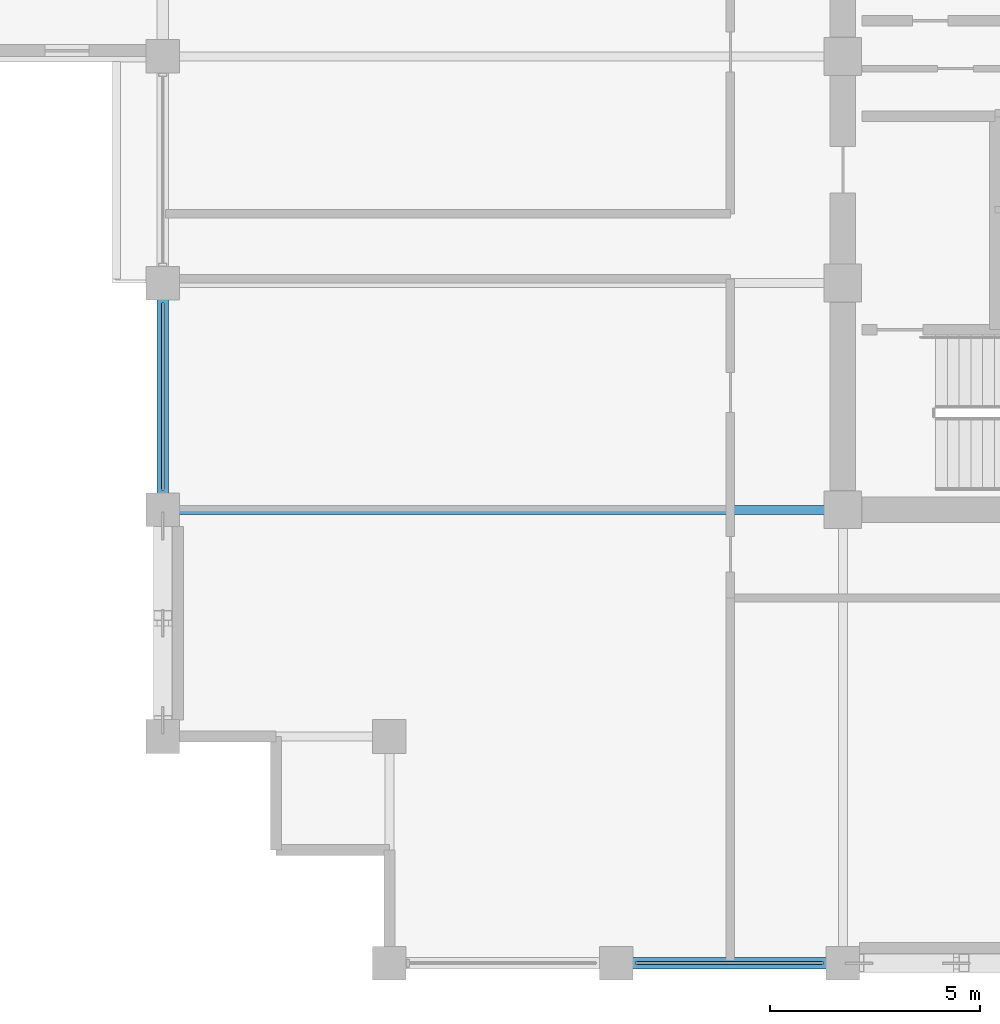
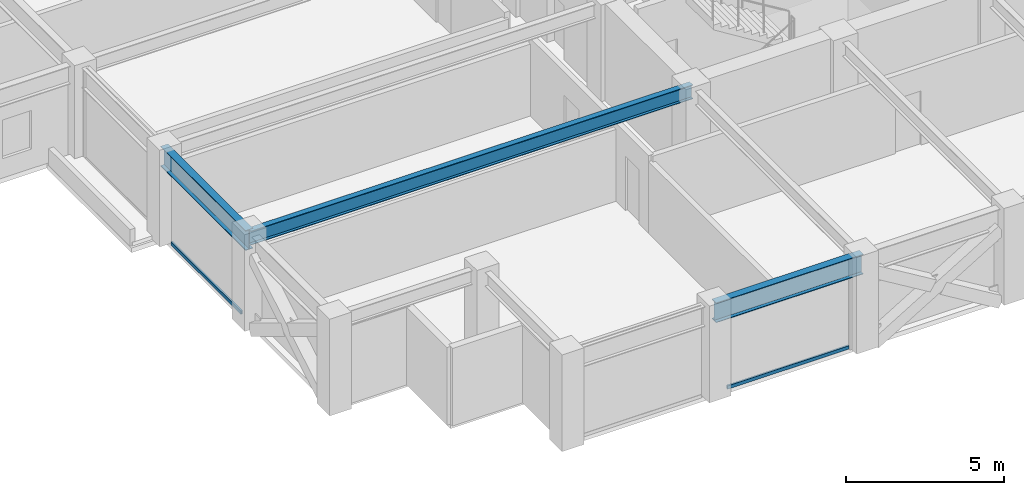
# One storey, part 3 of 28: 3 beams, 2 members, 2 elements without a shape of their own.
"""IFC4 building model written with IfcOpenShell, lengths in metres."""

from ifc_helpers import new_model, si_unit, direction, frame, origin, origin_2d, place, context, subcontext, project, spatial, hollow_rectangle, i_section, extrude, material, layer, layer_set, material_profile, profile_set, type_object, element, aggregate, save


model = new_model("IFC4")

# Units and contexts
model_context = context("Model", 3, precision=1e-05, world=origin(), true_north=direction((0.0, 1.0)))
body_context = subcontext(model_context, "Body", "Model", "MODEL_VIEW")
ifc_project = project(units=[si_unit("LENGTHUNIT", "METRE"), si_unit("AREAUNIT", "SQUARE_METRE"), si_unit("VOLUMEUNIT", "CUBIC_METRE"), si_unit("PLANEANGLEUNIT", "RADIAN"), si_unit("MASSUNIT", "GRAM", prefix="KILO")], contexts=[model_context])

# Site, building, storey
site_placement = place(None, origin())
site = spatial("IfcSite", under=ifc_project, at=site_placement, CompositionType="ELEMENT")
building_placement = place(site_placement, origin())
building = spatial("IfcBuilding", under=site, at=building_placement, Name="Surkhivell Harbour Commons", CompositionType="ELEMENT")
storey_placement = place(building_placement, frame((0.0, 0.0, 238.5)))
storey = spatial("IfcBuildingStorey", under=building, at=storey_placement, Name="L62", CompositionType="ELEMENT", Elevation=238.5)

# Beams
ifc_material_1 = material(Name="Steel S355", Category="steel")
ifc_material_profile_1 = material_profile(ifc_material_1, i_section(OverallWidth=0.2119140625, OverallDepth=0.5439453125, WebThickness=0.0126953125, FlangeThickness=0.021240234375, at=origin_2d()), Name="UB533x210x122")
ifc_profile_set_1 = profile_set([ifc_material_profile_1], Name="Steel S355")
beam_type_1 = type_object("IfcBeamType", Name="BM-GRD-533A", PredefinedType="BEAM", material=ifc_profile_set_1)
beam_1_placement = place(storey_placement, frame((-27.0, -10.800048828125, 3.298095703125), z_axis=(1.0, 0.0, 0.0), x_axis=(0.0, 1.0, 0.0)))
element("IfcBeam", 1, at=beam_1_placement, inside=storey, type_object=beam_type_1, Name="L62 Floor Girder (-27.0,-10.8)", PredefinedType="BEAM", context=body_context, shape_type="SweptSolid", body=[
    extrude(i_section(OverallWidth=0.2119140625, OverallDepth=0.5439453125, WebThickness=0.0126953125, FlangeThickness=0.021240234375, at=origin_2d()), origin(), (0.0, 0.0, 1.0), 16.199951171875),
])
ifc_material_profile_2 = material_profile(ifc_material_1, i_section(OverallWidth=0.26806640625, OverallDepth=0.77001953125, WebThickness=0.015625, FlangeThickness=0.025390625, at=origin_2d()), Name="UB762x267x197")
ifc_profile_set_2 = profile_set([ifc_material_profile_2], Name="Steel S355")
beam_type_2 = type_object("IfcBeamType", Name="BM-SPN-762", PredefinedType="SPANDREL", material=ifc_profile_set_2)
beam_2_placement = place(storey_placement, frame((-27.0, -10.800048828125, 3.18505859375), z_axis=(0.0, 1.0, 0.0), x_axis=(-1.0, 0.0, 0.0)))
element("IfcBeam", 2, at=beam_2_placement, inside=storey, type_object=beam_type_2, Name="L62 Tube Spandrel (-27.0,-10.8)", PredefinedType="SPANDREL", context=body_context, shape_type="SweptSolid", body=[
    extrude(i_section(OverallWidth=0.26806640625, OverallDepth=0.77001953125, WebThickness=0.015625, FlangeThickness=0.025390625, at=origin_2d()), origin(), (0.0, 0.0, 1.0), 5.400146484375),
])
beam_3_placement = place(storey_placement, frame((-16.199951171875, -21.60009765625, 3.18505859375), z_axis=(1.0, 0.0, 0.0), x_axis=(0.0, 1.0, 0.0)))
element("IfcBeam", 3, at=beam_3_placement, inside=storey, type_object=beam_type_2, Name="L62 Tube Spandrel (-16.2,-21.6)", PredefinedType="SPANDREL", context=body_context, shape_type="SweptSolid", body=[
    extrude(i_section(OverallWidth=0.26806640625, OverallDepth=0.77001953125, WebThickness=0.015625, FlangeThickness=0.025390625, at=origin_2d()), origin(), (0.0, 0.0, 1.0), 5.39990234375),
])

# Curtain wall, member
ifc_material_2 = material(Name="Anodised pale-metal aluminium and insulated glazing", Category="aluminium")
ifc_layer = layer(ifc_material_2, 0.18994140625)
ifc_layer_set = layer_set([ifc_layer], Name="Anodised pale-metal aluminium and insulated glazing")
curtain_wall_type = type_object("IfcCurtainWallType", Name="CW-SYS-Z3", PredefinedType="NOTDEFINED", material=ifc_layer_set)
curtain_wall_1_placement = place(storey_placement, origin())
curtain_wall_1 = element("IfcCurtainWall", 4, at=curtain_wall_1_placement, inside=storey, type_object=curtain_wall_type, Name="L62 Curtain Wall CW-L62-E00S1", PredefinedType="NOTDEFINED")
ifc_material_3 = material(Name="Champagne anodised aluminium alloy 6063-T6", Category="aluminium")
ifc_material_profile_3 = material_profile(ifc_material_3, hollow_rectangle(XDim=0.070068359375, YDim=0.1298828125, WallThickness=0.00341796875, at=origin_2d()), Name="ALU-TRAN-70x130")
ifc_profile_set_3 = profile_set([ifc_material_profile_3], Name="Champagne anodised aluminium alloy 6063-T6")
member_type = type_object("IfcMemberType", Name="CWT-130", PredefinedType="USERDEFINED", material=ifc_profile_set_3)
member_1_placement = place(storey_placement, frame((-15.722900390625, -21.60009765625, 0.06494140625), z_axis=(1.0, 0.0, 0.0), x_axis=(0.0, 1.0, 0.0)))
member_1 = element("IfcMember", 5, at=member_1_placement, type_object=member_type, Name="CW-Z3 transom 2.1", ObjectType="TRANSOM", PredefinedType="USERDEFINED", context=body_context, shape_type="SweptSolid", body=[
    extrude(hollow_rectangle(XDim=0.070068359375, YDim=0.1298828125, WallThickness=0.00341796875, at=origin_2d()), origin(), (0.0, 0.0, 1.0), 4.44580078125),
])
aggregate(curtain_wall_1, [member_1])

curtain_wall_2_placement = place(storey_placement, origin())
curtain_wall_2 = element("IfcCurtainWall", 6, at=curtain_wall_2_placement, inside=storey, type_object=curtain_wall_type, Name="L62 Curtain Wall CW-L62-E12R1S1", PredefinedType="NOTDEFINED")
member_2_placement = place(storey_placement, frame((-27.0, -10.322998046875, 0.06494140625), z_axis=(0.0, 1.0, 0.0), x_axis=(-1.0, 0.0, 0.0)))
member_2 = element("IfcMember", 7, at=member_2_placement, type_object=member_type, Name="CW-Z3 transom 1.1", ObjectType="TRANSOM", PredefinedType="USERDEFINED", context=body_context, shape_type="SweptSolid", body=[
    extrude(hollow_rectangle(XDim=0.070068359375, YDim=0.1298828125, WallThickness=0.00341796875, at=origin_2d()), origin(), (0.0, 0.0, 1.0), 4.446044921875),
])
aggregate(curtain_wall_2, [member_2])

save(model, "model.ifc")
